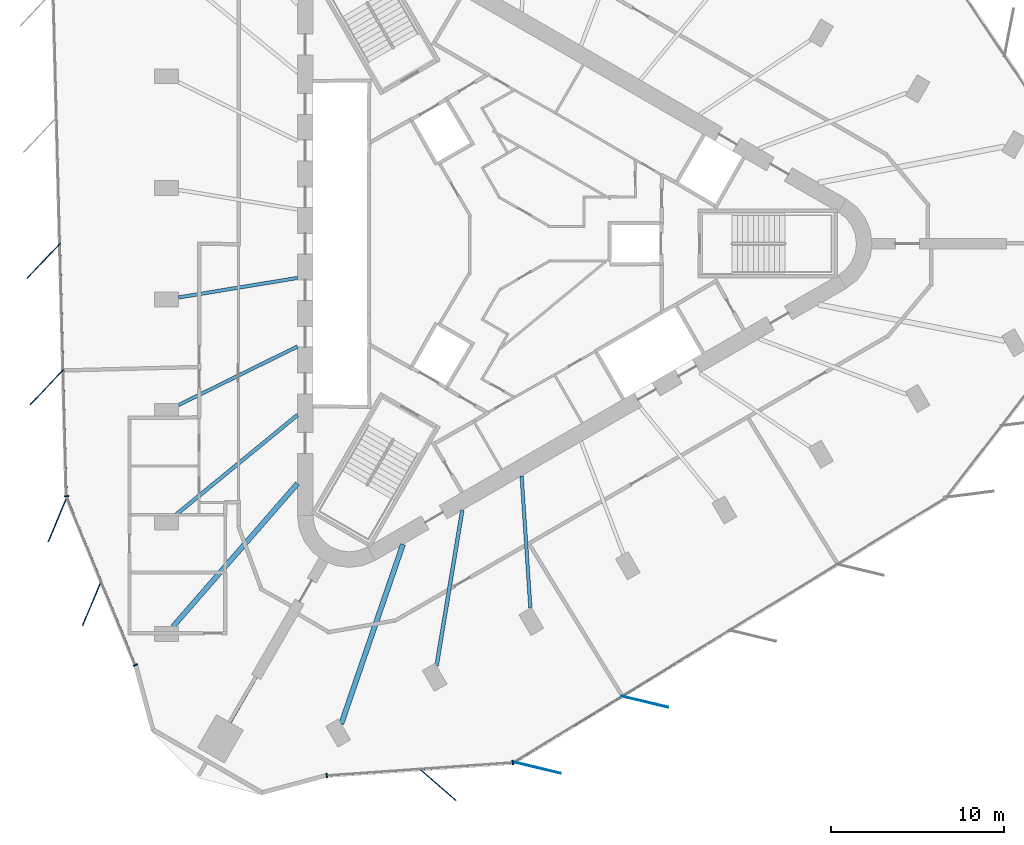
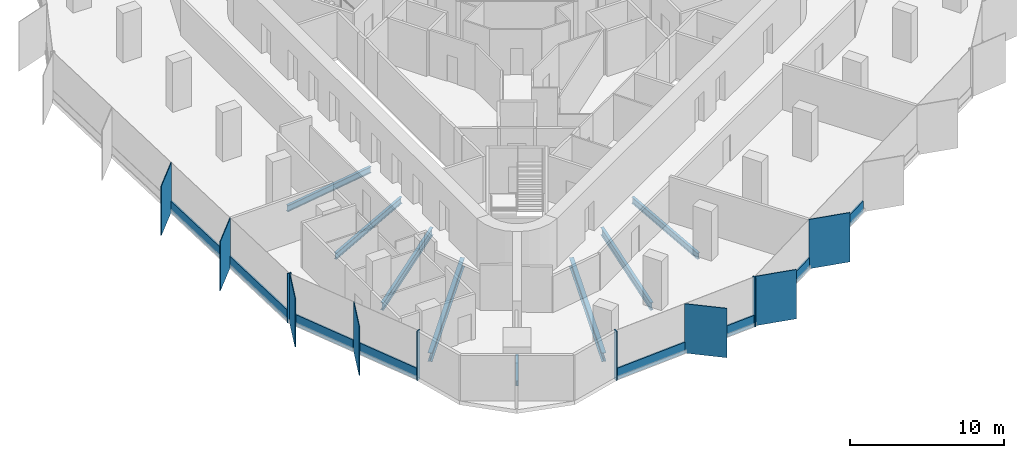
# One storey, part 2 of 12: 19 members, 8 beams, 4 elements without a shape of their own.
"""IFC4 building model written with IfcOpenShell, lengths in metres."""

from ifc_helpers import new_model, si_unit, direction, frame, origin, origin_2d, place, context, subcontext, project, spatial, rectangle, i_section, extrude, material, material_profile, profile_set, type_object, element, aggregate, save


model = new_model("IFC4")

# Units and contexts
model_context = context("Model", 3, precision=1e-05, world=origin(), true_north=direction((0.0, 1.0)))
body_context = subcontext(model_context, "Body", "Model", "MODEL_VIEW")
ifc_project = project(units=[si_unit("LENGTHUNIT", "METRE"), si_unit("AREAUNIT", "SQUARE_METRE"), si_unit("VOLUMEUNIT", "CUBIC_METRE"), si_unit("PLANEANGLEUNIT", "RADIAN"), si_unit("MASSUNIT", "GRAM", prefix="KILO")], contexts=[model_context])

# Site, building, storey
site_placement = place(None, origin())
site = spatial("IfcSite", under=ifc_project, at=site_placement, CompositionType="ELEMENT")
building_placement = place(site_placement, origin())
building = spatial("IfcBuilding", under=site, at=building_placement, Name="Tanit Gate Tower", CompositionType="ELEMENT")
storey_placement = place(building_placement, frame((0.0, 0.0, 353.300048828125)))
storey = spatial("IfcBuildingStorey", under=building, at=storey_placement, Name="L80", CompositionType="ELEMENT", Elevation=353.300048828125)

# Curtain wall, members
ifc_material_1 = material(Name="Aluminium bronze anodised and glass", Category="aluminium")
curtain_wall_type = type_object("IfcCurtainWallType", Name="Curtain wall typical high", PredefinedType="NOTDEFINED", material=ifc_material_1)
curtain_wall_1_placement = place(storey_placement, origin())
curtain_wall_1 = element("IfcCurtainWall", 1, at=curtain_wall_1_placement, inside=storey, type_object=curtain_wall_type, Name="Curtain wall L80 W2", PredefinedType="NOTDEFINED")
ifc_material_2 = material(Name="Aluminium bronze anodised", Category="aluminium")
ifc_material_profile_1 = material_profile(ifc_material_2, rectangle(XDim=2.800048828125, YDim=0.055908203125, at=origin_2d()), Name="56x2800 bronze fin mullion")
ifc_profile_set_1 = profile_set([ifc_material_profile_1], Name="Aluminium bronze anodised")
member_type_1 = type_object("IfcMemberType", Name="FIN MULLION 56x2800 bronze", PredefinedType="MULLION", material=ifc_profile_set_1)
member_1_placement = place(storey_placement, frame((-26.822021484375, -1.00146484375, -0.300048828125), z_axis=(0.0, 0.0, 1.0), x_axis=(0.688538110764, 0.725200158595, 0.0)))
member_1 = element("IfcMember", 2, at=member_1_placement, type_object=member_type_1, Name="Fin mullion L80 W2.3", PredefinedType="MULLION", context=body_context, shape_type="SweptSolid", body=[
    extrude(rectangle(XDim=2.800048828125, YDim=0.055908203125, at=origin_2d()), origin(), (0.0, 0.0, 1.0), 3.89990234375),
])
member_2_placement = place(storey_placement, frame((-26.63232421875, -8.31982421875, -0.300048828125), z_axis=(0.0, 0.0, 1.0), x_axis=(0.688538110764, 0.725200158595, 0.0)))
member_2 = element("IfcMember", 3, at=member_2_placement, type_object=member_type_1, Name="Fin mullion L80 W2.4", PredefinedType="MULLION", context=body_context, shape_type="SweptSolid", body=[
    extrude(rectangle(XDim=2.800048828125, YDim=0.055908203125, at=origin_2d()), origin(), (0.0, 0.0, 1.0), 3.89990234375),
])

curtain_wall_2_placement = place(storey_placement, origin())
curtain_wall_2 = element("IfcCurtainWall", 4, at=curtain_wall_2_placement, inside=storey, type_object=curtain_wall_type, Name="Curtain wall L80 W3", PredefinedType="NOTDEFINED")
member_3_placement = place(storey_placement, frame((-26.0087890625, -15.987548828125, -0.300048828125), z_axis=(0.0, 0.0, 1.0), x_axis=(0.386006838338, 0.9224959191, 0.0)))
member_3 = element("IfcMember", 5, at=member_3_placement, type_object=member_type_1, Name="Fin mullion L80 W3.1", PredefinedType="MULLION", context=body_context, shape_type="SweptSolid", body=[
    extrude(rectangle(XDim=2.800048828125, YDim=0.055908203125, at=origin_2d()), origin(), (0.0, 0.0, 1.0), 3.89990234375),
])
member_4_placement = place(storey_placement, frame((-24.017333984375, -20.844970703125, -0.300048828125), z_axis=(0.0, 0.0, 1.0), x_axis=(0.386006838338, 0.9224959191, 0.0)))
member_4 = element("IfcMember", 6, at=member_4_placement, type_object=member_type_1, Name="Fin mullion L80 W3.2", PredefinedType="MULLION", context=body_context, shape_type="SweptSolid", body=[
    extrude(rectangle(XDim=2.800048828125, YDim=0.055908203125, at=origin_2d()), origin(), (0.0, 0.0, 1.0), 3.89990234375),
])

# Curtain wall, member
curtain_wall_3_placement = place(storey_placement, origin())
curtain_wall_3 = element("IfcCurtainWall", 7, at=curtain_wall_3_placement, inside=storey, type_object=curtain_wall_type, Name="Curtain wall L80 SE1", PredefinedType="NOTDEFINED")
member_5_placement = place(storey_placement, frame((-3.97314453125, -31.3583984375, -0.300048828125), z_axis=(0.0, 0.0, 1.0), x_axis=(-0.754673667978, 0.656100339019, 0.0)))
member_5 = element("IfcMember", 8, at=member_5_placement, type_object=member_type_1, Name="Fin mullion L80 SE1.2", PredefinedType="MULLION", context=body_context, shape_type="SweptSolid", body=[
    extrude(rectangle(XDim=2.800048828125, YDim=0.055908203125, at=origin_2d()), origin(), (0.0, 0.0, 1.0), 3.89990234375),
])

# Curtain wall, members
curtain_wall_4_placement = place(storey_placement, origin())
curtain_wall_4 = element("IfcCurtainWall", 9, at=curtain_wall_4_placement, inside=storey, type_object=curtain_wall_type, Name="Curtain wall L80 SE2", PredefinedType="NOTDEFINED")
member_6_placement = place(storey_placement, frame((1.792236328125, -30.375, -0.300048828125), z_axis=(0.0, 0.0, 1.0), x_axis=(-0.972310815553, 0.233691416098, 0.0)))
member_6 = element("IfcMember", 10, at=member_6_placement, type_object=member_type_1, Name="Fin mullion L80 SE2.1", PredefinedType="MULLION", context=body_context, shape_type="SweptSolid", body=[
    extrude(rectangle(XDim=2.800048828125, YDim=0.055908203125, at=origin_2d()), origin(), (0.0, 0.0, 1.0), 3.89990234375),
])
member_7_placement = place(storey_placement, frame((8.03515625, -26.551513671875, -0.300048828125), z_axis=(0.0, 0.0, 1.0), x_axis=(-0.972310815553, 0.233691416098, 0.0)))
member_7 = element("IfcMember", 11, at=member_7_placement, type_object=member_type_1, Name="Fin mullion L80 SE2.2", PredefinedType="MULLION", context=body_context, shape_type="SweptSolid", body=[
    extrude(rectangle(XDim=2.800048828125, YDim=0.055908203125, at=origin_2d()), origin(), (0.0, 0.0, 1.0), 3.89990234375),
])

# Member
ifc_material_3 = material(Name="Aluminium bronze anodised", Category="aluminium")
ifc_material_profile_2 = material_profile(ifc_material_3, rectangle(XDim=0.280029296875, YDim=0.080078125, at=origin_2d()), Name="80x280 bronze mullion")
ifc_profile_set_2 = profile_set([ifc_material_profile_2], Name="Aluminium bronze anodised")
member_type_2 = type_object("IfcMemberType", Name="Mullion 80x280 typical high", PredefinedType="MULLION", material=ifc_profile_set_2)
member_8_placement = place(storey_placement, frame((-25.4921875, -14.637451171875, -0.300048828125), z_axis=(0.0, 0.0, 1.0), x_axis=(0.999663917086, 0.025923982634, 0.0)))
member_8 = element("IfcMember", 12, at=member_8_placement, type_object=member_type_2, Name="Mullion L80 W2.5", PredefinedType="MULLION", context=body_context, shape_type="SweptSolid", body=[
    extrude(rectangle(XDim=0.280029296875, YDim=0.080078125, at=origin_2d()), origin(), (0.0, 0.0, 1.0), 3.89990234375),
])

member_9_placement = place(storey_placement, frame((-21.492919921875, -24.4287109375, -0.300048828125), z_axis=(0.0, 0.0, 1.0), x_axis=(0.925251172986, 0.37935506704, 0.0)))
member_9 = element("IfcMember", 13, at=member_9_placement, type_object=member_type_2, Name="Mullion L80 W3.3", PredefinedType="MULLION", context=body_context, shape_type="SweptSolid", body=[
    extrude(rectangle(XDim=0.280029296875, YDim=0.080078125, at=origin_2d()), origin(), (0.0, 0.0, 1.0), 3.89990234375),
])

member_10_placement = place(storey_placement, frame((-10.405517578125, -30.829345703125, -0.300048828125), z_axis=(0.0, 0.0, 1.0), x_axis=(-0.069701869351, 0.997567867069, 0.0)))
member_10 = element("IfcMember", 14, at=member_10_placement, type_object=member_type_2, Name="Mullion L80 SE1.1", PredefinedType="MULLION", context=body_context, shape_type="SweptSolid", body=[
    extrude(rectangle(XDim=0.280029296875, YDim=0.080078125, at=origin_2d()), origin(), (0.0, 0.0, 1.0), 3.89990234375),
])

member_11_placement = place(storey_placement, frame((0.376220703125, -30.076171875, -0.300048828125), z_axis=(0.0, 0.0, 1.0), x_axis=(-0.069701869351, 0.997567867069, 0.0)))
member_11 = element("IfcMember", 15, at=member_11_placement, type_object=member_type_2, Name="Mullion L80 SE1.3", PredefinedType="MULLION", context=body_context, shape_type="SweptSolid", body=[
    extrude(rectangle(XDim=0.280029296875, YDim=0.080078125, at=origin_2d()), origin(), (0.0, 0.0, 1.0), 3.89990234375),
])

# Beams
ifc_material_4 = material(Name="Steel S355", Category="steel")
ifc_material_profile_3 = material_profile(ifc_material_4, i_section(OverallWidth=0.300048828125, OverallDepth=0.68994140625, WebThickness=0.014404296875, FlangeThickness=0.027099609375, FilletRadius=0.027099609375, at=origin_2d()), Name="HEA 700")
ifc_profile_set_3 = profile_set([ifc_material_profile_3], Name="Steel S355")
beam_type_1 = type_object("IfcBeamType", Name="RADIAL GIRDER HEA 700 S355", PredefinedType="BEAM", material=ifc_profile_set_3)
for number, where, z_axis, x_axis, name in (
    (16, (-19.322021484375, -22.198486328125, -0.64501953125), (0.656551846621, 0.754280897742, 0.0), (-0.754280897742, 0.656551846621, 0.0), "RADIAL GIRDER"),
    (17, (-9.563720703125, -27.83251953125, -0.64501953125), (0.324979251092, 0.945721146195, 0.0), (-0.945721146195, 0.324979251092, 0.0), "RADIAL GIRDER"),
):
    element("IfcBeam", number, at=place(storey_placement, frame(where, z_axis=z_axis, x_axis=x_axis)), inside=storey, type_object=beam_type_1, Name=name, PredefinedType="BEAM", context=body_context, shape_type="SweptSolid", body=[
        extrude(i_section(OverallWidth=0.300048828125, OverallDepth=0.68994140625, WebThickness=0.014404296875, FlangeThickness=0.027099609375, FilletRadius=0.027099609375, at=origin_2d()), origin(), (0.0, 0.0, 1.0), 10.996826171875),
    ])
ifc_material_5 = material(Name="Steel S355", Category="steel")
ifc_material_profile_4 = material_profile(ifc_material_5, i_section(OverallWidth=0.179931640625, OverallDepth=0.39990234375, WebThickness=0.008544921875, FlangeThickness=0.013427734375, FilletRadius=0.02099609375, at=origin_2d()), Name="IPE 400")
ifc_profile_set_4 = profile_set([ifc_material_profile_4], Name="Steel S355")
beam_type_2 = type_object("IfcBeamType", Name="RADIAL GIRDER IPE 400 S355", PredefinedType="BEAM", material=ifc_profile_set_4)
beam_1_placement = place(storey_placement, frame((-16.019775390625, -27.746826171875, -0.5), z_axis=(0.500014901547, 0.866016800201, 0.0), x_axis=(-0.866016800201, 0.500014901547, 0.0)))
element("IfcBeam", 18, at=beam_1_placement, inside=storey, type_object=beam_type_2, Name="RADIAL GIRDER", PredefinedType="BEAM", context=body_context, shape_type="SweptSolid", body=[
    extrude(i_section(OverallWidth=0.179931640625, OverallDepth=0.39990234375, WebThickness=0.008544921875, FlangeThickness=0.013427734375, FilletRadius=0.02099609375, at=origin_2d()), origin(), (0.0, 0.0, 1.0), 3.03515625),
])
ifc_material_6 = material(Name="Steel S355", Category="steel")
ifc_material_profile_5 = material_profile(ifc_material_6, i_section(OverallWidth=0.199951171875, OverallDepth=0.5, WebThickness=0.01025390625, FlangeThickness=0.01611328125, FilletRadius=0.02099609375, at=origin_2d()), Name="IPE 500")
ifc_profile_set_5 = profile_set([ifc_material_profile_5], Name="Steel S355")
beam_type_3 = type_object("IfcBeamType", Name="RADIAL GIRDER IPE 500 S355", PredefinedType="BEAM", material=ifc_profile_set_5)
beam_2_placement = place(storey_placement, frame((-18.99169921875, -3.116943359375, -0.550048828125), z_axis=(0.986795432202, 0.161971525229, 0.0), x_axis=(-0.161971525229, 0.986795432202, 0.0)))
element("IfcBeam", 19, at=beam_2_placement, inside=storey, type_object=beam_type_3, Name="RADIAL GIRDER", PredefinedType="BEAM", context=body_context, shape_type="SweptSolid", body=[
    extrude(i_section(OverallWidth=0.199951171875, OverallDepth=0.5, WebThickness=0.01025390625, FlangeThickness=0.01611328125, FilletRadius=0.02099609375, at=origin_2d()), origin(), (0.0, 0.0, 1.0), 6.98193359375),
])
beam_3_placement = place(storey_placement, frame((-18.99169921875, -9.35107421875, -0.550048828125), z_axis=(0.897144509959, 0.441737171009, 0.0), x_axis=(-0.441737171009, 0.897144509959, 0.0)))
element("IfcBeam", 20, at=beam_3_placement, inside=storey, type_object=beam_type_3, Name="RADIAL GIRDER", PredefinedType="BEAM", context=body_context, shape_type="SweptSolid", body=[
    extrude(i_section(OverallWidth=0.199951171875, OverallDepth=0.5, WebThickness=0.01025390625, FlangeThickness=0.01611328125, FilletRadius=0.02099609375, at=origin_2d()), origin(), (0.0, 0.0, 1.0), 7.679443359375),
])
beam_4_placement = place(storey_placement, frame((1.3974609375, -21.122802734375, -0.550048828125), z_axis=(-0.066029480547, 0.997817672573, 0.0), x_axis=(-0.997817672573, -0.066029480547, 0.0)))
element("IfcBeam", 21, at=beam_4_placement, inside=storey, type_object=beam_type_3, Name="RADIAL GIRDER", PredefinedType="BEAM", context=body_context, shape_type="SweptSolid", body=[
    extrude(i_section(OverallWidth=0.199951171875, OverallDepth=0.5, WebThickness=0.01025390625, FlangeThickness=0.01611328125, FilletRadius=0.02099609375, at=origin_2d()), origin(), (0.0, 0.0, 1.0), 7.6796875),
])
ifc_material_7 = material(Name="Steel S355", Category="steel")
ifc_material_profile_6 = material_profile(ifc_material_7, i_section(OverallWidth=0.219970703125, OverallDepth=0.60009765625, WebThickness=0.011962890625, FlangeThickness=0.01904296875, FilletRadius=0.02392578125, at=origin_2d()), Name="IPE 600")
ifc_profile_set_6 = profile_set([ifc_material_profile_6], Name="Steel S355")
beam_type_4 = type_object("IfcBeamType", Name="RADIAL GIRDER IPE 600 S355", PredefinedType="BEAM", material=ifc_profile_set_6)
for number, where, z_axis, x_axis, name in (
    (22, (-19.173828125, -15.734619140625, -0.60009765625), (0.773033772719, 0.634364868381, 0.0), (-0.634364868381, 0.773033772719, 0.0), "RADIAL GIRDER"),
    (23, (-4.039794921875, -24.472412109375, -0.60009765625), (0.162871136194, 0.986647349865, 0.0), (-0.986647349865, 0.162871136194, 0.0), "RADIAL GIRDER"),
):
    element("IfcBeam", number, at=place(storey_placement, frame(where, z_axis=z_axis, x_axis=x_axis)), inside=storey, type_object=beam_type_4, Name=name, PredefinedType="BEAM", context=body_context, shape_type="SweptSolid", body=[
        extrude(i_section(OverallWidth=0.219970703125, OverallDepth=0.60009765625, WebThickness=0.011962890625, FlangeThickness=0.01904296875, FilletRadius=0.02392578125, at=origin_2d()), origin(), (0.0, 0.0, 1.0), 9.148193359375),
    ])

# Member
ifc_material_8 = material(Name="Aluminium bronze anodised", Category="aluminium")
ifc_material_profile_7 = material_profile(ifc_material_8, rectangle(XDim=0.1201171875, YDim=0.89990234375, at=origin_2d()), Name="120x900 bronze transom")
ifc_profile_set_7 = profile_set([ifc_material_profile_7], Name="Aluminium bronze anodised")
member_type_3 = type_object("IfcMemberType", Name="Transom 120x900 typical high", PredefinedType="USERDEFINED", material=ifc_profile_set_7)
member_12_placement = place(storey_placement, frame((-25.87060546875, -0.04052734375, 0.14990234375), z_axis=(0.025928074156, -0.999663810974, 0.0), x_axis=(0.999663810974, 0.025928074156, 0.0)))
member_12 = element("IfcMember", 24, at=member_12_placement, type_object=member_type_3, Name="Transom L80 W2.3", ObjectType="TRANSOM", PredefinedType="USERDEFINED", context=body_context, shape_type="SweptSolid", body=[
    extrude(rectangle(XDim=0.1201171875, YDim=0.89990234375, at=origin_2d()), origin(), (0.0, 0.0, 1.0), 7.240966796875),
])

member_13_placement = place(storey_placement, frame((-25.680908203125, -7.35888671875, 0.14990234375), z_axis=(0.025928074156, -0.999663810974, 0.0), x_axis=(0.999663810974, 0.025928074156, 0.0)))
member_13 = element("IfcMember", 25, at=member_13_placement, type_object=member_type_3, Name="Transom L80 W2.4", ObjectType="TRANSOM", PredefinedType="USERDEFINED", context=body_context, shape_type="SweptSolid", body=[
    extrude(rectangle(XDim=0.1201171875, YDim=0.89990234375, at=origin_2d()), origin(), (0.0, 0.0, 1.0), 7.240966796875),
])

aggregate(curtain_wall_1, [member_1, member_2, member_8, member_12, member_13])

member_14_placement = place(storey_placement, frame((-25.460693359375, -14.75146484375, 0.14990234375), z_axis=(0.379324171143, -0.92526383977, 0.0), x_axis=(0.92526383977, 0.379324171143, 0.0)))
member_14 = element("IfcMember", 26, at=member_14_placement, type_object=member_type_3, Name="Transom L80 W3.1", ObjectType="TRANSOM", PredefinedType="USERDEFINED", context=body_context, shape_type="SweptSolid", body=[
    extrude(rectangle(XDim=0.1201171875, YDim=0.89990234375, at=origin_2d()), origin(), (0.0, 0.0, 1.0), 5.169677734375),
])

member_15_placement = place(storey_placement, frame((-23.46923828125, -19.608642578125, 0.14990234375), z_axis=(0.379364601384, -0.925247263826, 0.0), x_axis=(0.925247263826, 0.379364601384, 0.0)))
member_15 = element("IfcMember", 27, at=member_15_placement, type_object=member_type_3, Name="Transom L80 W3.2", ObjectType="TRANSOM", PredefinedType="USERDEFINED", context=body_context, shape_type="SweptSolid", body=[
    extrude(rectangle(XDim=0.1201171875, YDim=0.89990234375, at=origin_2d()), origin(), (0.0, 0.0, 1.0), 5.169677734375),
])

aggregate(curtain_wall_2, [member_3, member_4, member_9, member_14, member_15])

member_16_placement = place(storey_placement, frame((-10.365478515625, -30.82666015625, 0.14990234375), z_axis=(0.997567616481, 0.069705455664, 0.0), x_axis=(-0.069705455664, 0.997567616481, 0.0)))
member_16 = element("IfcMember", 28, at=member_16_placement, type_object=member_type_3, Name="Transom L80 SE1.1", ObjectType="TRANSOM", PredefinedType="USERDEFINED", context=body_context, shape_type="SweptSolid", body=[
    extrude(rectangle(XDim=0.1201171875, YDim=0.89990234375, at=origin_2d()), origin(), (0.0, 0.0, 1.0), 5.32373046875),
])

member_17_placement = place(storey_placement, frame((-4.974853515625, -30.449951171875, 0.14990234375), z_axis=(0.997567839287, 0.069702266972, 0.0), x_axis=(-0.069702266972, 0.997567839287, 0.0)))
member_17 = element("IfcMember", 29, at=member_17_placement, type_object=member_type_3, Name="Transom L80 SE1.2", ObjectType="TRANSOM", PredefinedType="USERDEFINED", context=body_context, shape_type="SweptSolid", body=[
    extrude(rectangle(XDim=0.1201171875, YDim=0.89990234375, at=origin_2d()), origin(), (0.0, 0.0, 1.0), 5.323974609375),
])

aggregate(curtain_wall_3, [member_10, member_5, member_11, member_16, member_17])

member_18_placement = place(storey_placement, frame((0.484375, -30.031494140625, 0.14990234375), z_axis=(0.852774688178, 0.522278978328, 0.0), x_axis=(-0.522278978328, 0.852774688178, 0.0)))
member_18 = element("IfcMember", 30, at=member_18_placement, type_object=member_type_3, Name="Transom L80 SE2.1", ObjectType="TRANSOM", PredefinedType="USERDEFINED", context=body_context, shape_type="SweptSolid", body=[
    extrude(rectangle(XDim=0.1201171875, YDim=0.89990234375, at=origin_2d()), origin(), (0.0, 0.0, 1.0), 7.24072265625),
])

member_19_placement = place(storey_placement, frame((6.727294921875, -26.2080078125, 0.14990234375), z_axis=(0.852774688178, 0.522278978328, 0.0), x_axis=(-0.522278978328, 0.852774688178, 0.0)))
member_19 = element("IfcMember", 31, at=member_19_placement, type_object=member_type_3, Name="Transom L80 SE2.2", ObjectType="TRANSOM", PredefinedType="USERDEFINED", context=body_context, shape_type="SweptSolid", body=[
    extrude(rectangle(XDim=0.1201171875, YDim=0.89990234375, at=origin_2d()), origin(), (0.0, 0.0, 1.0), 7.24072265625),
])

aggregate(curtain_wall_4, [member_6, member_7, member_18, member_19])

save(model, "model.ifc")
